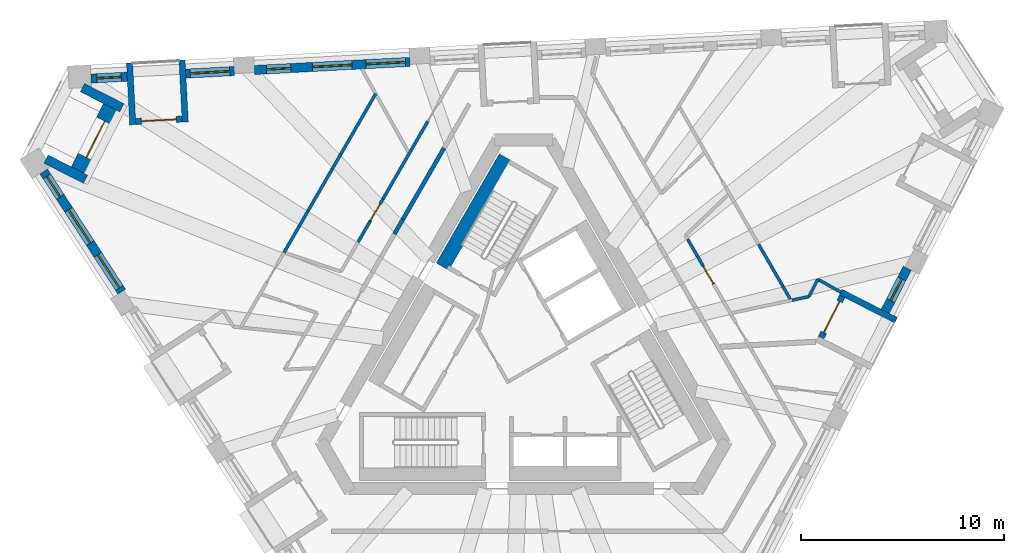
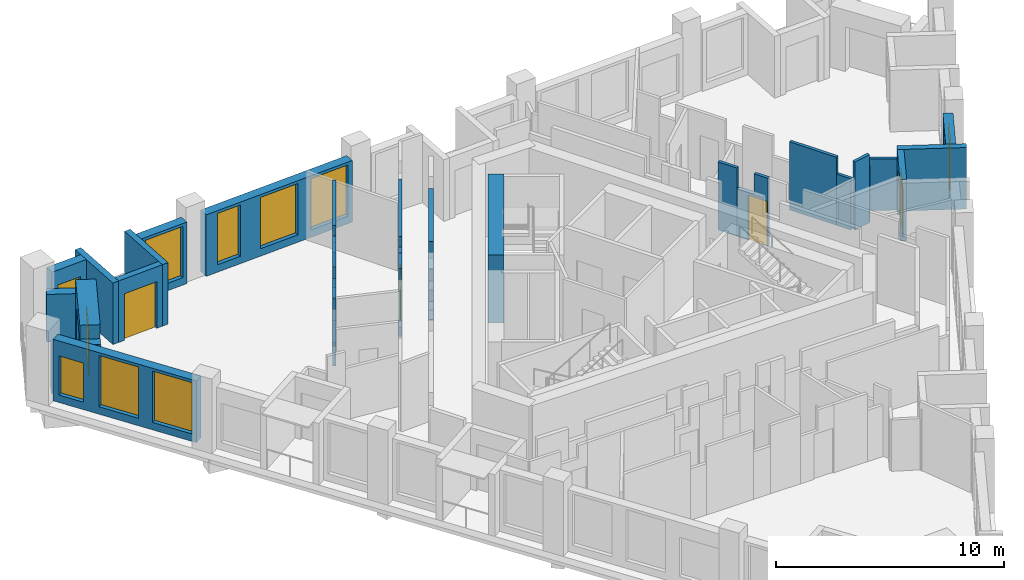
# One storey, part 6 of 12: 31 walls, 9 windows, 5 doors, 14 openings.
"""IFC4 building model written with IfcOpenShell, lengths in metres."""

from ifc_helpers import new_model, si_unit, direction, frame, frame_2d, origin, place, context, subcontext, project, spatial, polyline, rectangle, outline, extrude, material, layer, layer_set, type_object, element, fill, save


model = new_model("IFC4")

# Units and contexts
model_context = context("Model", 3, precision=1e-05, world=origin(), true_north=direction((0.0, 1.0)))
body_context = subcontext(model_context, "Body", "Model", "MODEL_VIEW")
ifc_project = project(units=[si_unit("LENGTHUNIT", "METRE"), si_unit("AREAUNIT", "SQUARE_METRE"), si_unit("VOLUMEUNIT", "CUBIC_METRE"), si_unit("PLANEANGLEUNIT", "RADIAN"), si_unit("MASSUNIT", "GRAM", prefix="KILO")], contexts=[model_context])

# Site, building, storey
site_placement = place(None, origin())
site = spatial("IfcSite", under=ifc_project, at=site_placement, CompositionType="ELEMENT")
building_placement = place(site_placement, origin())
building = spatial("IfcBuilding", under=site, at=building_placement, Name="Tramontana Tower", CompositionType="ELEMENT")
storey_placement = place(building_placement, frame((0.0, 0.0, 298.39990234375)))
storey = spatial("IfcBuildingStorey", under=building, at=storey_placement, Name="L70", CompositionType="ELEMENT", Elevation=298.39990234375)

# Walls
ifc_material_1 = material(Name="Blockwork", Category="masonry")
ifc_layer_1 = layer(ifc_material_1, 0.199951171875)
ifc_layer_set_1 = layer_set([ifc_layer_1], Name="ENTRY WALL 200")
wall_type_1 = type_object("IfcWallType", Name="ENTRY WALL 200", PredefinedType="SOLIDWALL", material=ifc_layer_set_1)
wall_1_placement = place(storey_placement, frame((-6.36328125, 6.07861328125, 0.0), z_axis=(0.0, 0.0, 1.0), x_axis=(0.499950631041, 0.86605390509, 0.0)))
element("IfcWall", 1, at=wall_1_placement, inside=storey, type_object=wall_type_1, Name="Wall v72-ew3-8", PredefinedType="SOLIDWALL", context=body_context, shape_type="SweptSolid", body=[
    extrude(rectangle(XDim=0.83349609375, YDim=0.199951171875, at=frame_2d((0.416748046875, 0.0))), origin(), (0.0, 0.0, 1.0), 2.75),
])
wall_2_placement = place(storey_placement, frame((-5.946533203125, 6.800537109375, 0.0), z_axis=(0.0, 0.0, 1.0), x_axis=(0.500007556608, 0.866021040931, 0.0)))
element("IfcWall", 2, at=wall_2_placement, inside=storey, type_object=wall_type_1, Name="Wall v72-ew3-9", PredefinedType="SOLIDWALL", context=body_context, shape_type="SweptSolid", body=[
    extrude(rectangle(XDim=4.05224609375, YDim=0.199951171875, at=frame_2d((2.026123046875, 0.0))), origin(), (0.0, 0.0, 1.0), 3.650146484375),
])

# Wall, openings, windows
ifc_material_2 = material(Name="Precast concrete 60 MPa", Category="concrete")
ifc_layer_2 = layer(ifc_material_2, 0.449951171875)
ifc_layer_set_2 = layer_set([ifc_layer_2], Name="Precast concrete 60 MPa, 450 mm")
wall_type_2 = type_object("IfcWallType", Name="EW1 Stone-faced precast wall 450", PredefinedType="SOLIDWALL", material=ifc_layer_set_2)
wall_3_placement = place(storey_placement, frame((-23.6259765625, 9.160888671875, 0.0), z_axis=(0.0, 0.0, 1.0), x_axis=(0.54463703186, -0.838671868806, 0.0)))
wall_3 = element("IfcWall", 3, at=wall_3_placement, inside=storey, type_object=wall_type_2, Name="External wall L70 face 0 bay 1", PredefinedType="SOLIDWALL", context=body_context, shape_type="SweptSolid", body=[
    extrude(rectangle(XDim=7.06005859375, YDim=0.449951171875, at=frame_2d((3.530029296875, 0.0))), origin(), (0.0, 0.0, 1.0), 3.300048828125),
])
opening_1_placement = place(wall_3_placement, frame((0.29345703125, 0.0, 0.39990234375)))
opening_1 = element("IfcOpeningElement", 4, at=opening_1_placement, cuts=wall_3, Name="Opening N3L", PredefinedType="OPENING", context=body_context, shape_type="SweptSolid", body=[
    extrude(rectangle(XDim=1.199951171875, YDim=2.10009765625, at=frame_2d((0.60009765625, 1.050048828125))), frame((0.0, 0.23486328125, 0.0), z_axis=(0.0, -1.0, 0.0), x_axis=(1.0, 0.0, 0.0)), (0.0, 0.0, 1.0), 0.469970703125),
])
opening_2_placement = place(wall_3_placement, frame((2.255126953125, 0.0, 0.39990234375)))
opening_2 = element("IfcOpeningElement", 5, at=opening_2_placement, cuts=wall_3, Name="Opening M3", PredefinedType="OPENING", context=body_context, shape_type="SweptSolid", body=[
    extrude(rectangle(XDim=1.949951171875, YDim=2.75, at=frame_2d((0.97509765625, 1.375))), frame((0.0, 0.23486328125, 0.0), z_axis=(0.0, -1.0, 0.0), x_axis=(1.0, 0.0, 0.0)), (0.0, 0.0, 1.0), 0.469970703125),
])
opening_3_placement = place(wall_3_placement, frame((4.891845703125, 0.0, 0.39990234375)))
opening_3 = element("IfcOpeningElement", 6, at=opening_3_placement, cuts=wall_3, Name="Opening M3", PredefinedType="OPENING", context=body_context, shape_type="SweptSolid", body=[
    extrude(rectangle(XDim=1.949951171875, YDim=2.75, at=frame_2d((0.97509765625, 1.375))), frame((0.0, 0.23486328125, 0.0), z_axis=(0.0, -1.0, 0.0), x_axis=(1.0, 0.0, 0.0)), (0.0, 0.0, 1.0), 0.469970703125),
])
ifc_material_3 = material(Name="Aluminum frame, double glazing unit", Category="aluminium")
window_type_1 = type_object("IfcWindowType", Name="M3 Window 1.95 x 2.75", PartitioningType="SINGLE_PANEL", PredefinedType="WINDOW", material=ifc_material_3)
window_1_placement = place(opening_2_placement, origin())
window_1 = element("IfcWindow", 7, at=window_1_placement, inside=storey, type_object=window_type_1, Name="Window M3 L70 face 0 module 2", OverallHeight=2.75, OverallWidth=1.949951171875, PartitioningType="SINGLE_PANEL", PredefinedType="WINDOW", context=body_context, shape_type="SweptSolid", body=[
    extrude(rectangle(XDim=1.949951171875, YDim=2.75, at=frame_2d((0.97509765625, 1.375))), frame((0.0, 0.030029296875, 0.0), z_axis=(0.0, -1.0, 0.0), x_axis=(1.0, 0.0, 0.0)), (0.0, 0.0, 1.0), 0.06005859375),
])
fill(opening_2, window_1)
window_2_placement = place(opening_3_placement, origin())
window_2 = element("IfcWindow", 8, at=window_2_placement, inside=storey, type_object=window_type_1, Name="Window M3 L70 face 0 module 3", OverallHeight=2.75, OverallWidth=1.949951171875, PartitioningType="SINGLE_PANEL", PredefinedType="WINDOW", context=body_context, shape_type="SweptSolid", body=[
    extrude(rectangle(XDim=1.949951171875, YDim=2.75, at=frame_2d((0.97509765625, 1.375))), frame((0.0, 0.030029296875, 0.0), z_axis=(0.0, -1.0, 0.0), x_axis=(1.0, 0.0, 0.0)), (0.0, 0.0, 1.0), 0.06005859375),
])
fill(opening_3, window_2)
ifc_material_4 = material(Name="Aluminum frame, double glazing unit", Category="aluminium")
window_type_2 = type_object("IfcWindowType", Name="N3L Window 1.2 x 2.1", PartitioningType="SINGLE_PANEL", PredefinedType="WINDOW", material=ifc_material_4)
window_3_placement = place(opening_1_placement, origin())
window_3 = element("IfcWindow", 9, at=window_3_placement, inside=storey, type_object=window_type_2, Name="Window N3L L70 face 0 module 1", OverallHeight=2.10009765625, OverallWidth=1.199951171875, PartitioningType="SINGLE_PANEL", PredefinedType="WINDOW", context=body_context, shape_type="SweptSolid", body=[
    extrude(rectangle(XDim=1.199951171875, YDim=2.10009765625, at=frame_2d((0.60009765625, 1.050048828125))), frame((0.0, 0.030029296875, 0.0), z_axis=(0.0, -1.0, 0.0), x_axis=(1.0, 0.0, 0.0)), (0.0, 0.0, 1.0), 0.06005859375),
])
fill(opening_1, window_3)

# Wall, opening, window
wall_4_placement = place(storey_placement, frame((17.796142578125, 2.27197265625, 0.0), z_axis=(0.0, 0.0, 1.0), x_axis=(0.453951830128, 0.891026226283, 0.0)))
wall_4 = element("IfcWall", 10, at=wall_4_placement, inside=storey, type_object=wall_type_2, Name="External wall L70 face 1 bay 4", PredefinedType="SOLIDWALL", context=body_context, shape_type="SweptSolid", body=[
    extrude(rectangle(XDim=2.38671875, YDim=0.449951171875, at=frame_2d((1.193359375, 0.0))), origin(), (0.0, 0.0, 1.0), 3.300048828125),
])
opening_4_placement = place(wall_4_placement, frame((0.59326171875, 0.0, 0.39990234375)))
opening_4 = element("IfcOpeningElement", 11, at=opening_4_placement, cuts=wall_4, Name="Opening N3", PredefinedType="OPENING", context=body_context, shape_type="SweptSolid", body=[
    extrude(rectangle(XDim=1.199951171875, YDim=2.75, at=frame_2d((0.60009765625, 1.375))), frame((0.0, 0.23486328125, 0.0), z_axis=(0.0, -1.0, 0.0), x_axis=(1.0, 0.0, 0.0)), (0.0, 0.0, 1.0), 0.469970703125),
])
ifc_material_5 = material(Name="Aluminum frame, double glazing unit", Category="aluminium")
window_type_3 = type_object("IfcWindowType", Name="N3 Window 1.2 x 2.75", PartitioningType="SINGLE_PANEL", PredefinedType="WINDOW", material=ifc_material_5)
window_4_placement = place(opening_4_placement, origin())
window_4 = element("IfcWindow", 12, at=window_4_placement, inside=storey, type_object=window_type_3, Name="Window N3 L70 face 1 module 12", OverallHeight=2.75, OverallWidth=1.199951171875, PartitioningType="SINGLE_PANEL", PredefinedType="WINDOW", context=body_context, shape_type="SweptSolid", body=[
    extrude(rectangle(XDim=1.199951171875, YDim=2.75, at=frame_2d((0.60009765625, 1.375))), frame((0.0, 0.030029296875, 0.0), z_axis=(0.0, -1.0, 0.0), x_axis=(1.0, 0.0, 0.0)), (0.0, 0.0, 1.0), 0.06005859375),
])
fill(opening_4, window_4)

# Wall, openings, windows
wall_5_placement = place(storey_placement, frame((-5.599365234375, 14.552001953125, 0.0), z_axis=(0.0, 0.0, 1.0), x_axis=(-0.998628023429, -0.052364786088, 0.0)))
wall_5 = element("IfcWall", 13, at=wall_5_placement, inside=storey, type_object=wall_type_2, Name="External wall L70 face 2 bay 4", PredefinedType="SOLIDWALL", context=body_context, shape_type="SweptSolid", body=[
    extrude(rectangle(XDim=7.66015625, YDim=0.449951171875, at=frame_2d((3.830078125, 0.0))), origin(), (0.0, 0.0, 1.0), 3.300048828125),
])
opening_5_placement = place(wall_5_placement, frame((0.21826171875, 0.0, 0.39990234375)))
opening_5 = element("IfcOpeningElement", 14, at=opening_5_placement, cuts=wall_5, Name="Opening M3", PredefinedType="OPENING", context=body_context, shape_type="SweptSolid", body=[
    extrude(rectangle(XDim=1.949951171875, YDim=2.75, at=frame_2d((0.97509765625, 1.375))), frame((0.0, 0.23486328125, 0.0), z_axis=(0.0, -1.0, 0.0), x_axis=(1.0, 0.0, 0.0)), (0.0, 0.0, 1.0), 0.469970703125),
])
opening_6_placement = place(wall_5_placement, frame((2.855224609375, 0.0, 0.39990234375)))
opening_6 = element("IfcOpeningElement", 15, at=opening_6_placement, cuts=wall_5, Name="Opening M3", PredefinedType="OPENING", context=body_context, shape_type="SweptSolid", body=[
    extrude(rectangle(XDim=1.949951171875, YDim=2.75, at=frame_2d((0.97509765625, 1.375))), frame((0.0, 0.23486328125, 0.0), z_axis=(0.0, -1.0, 0.0), x_axis=(1.0, 0.0, 0.0)), (0.0, 0.0, 1.0), 0.469970703125),
])
opening_7_placement = place(wall_5_placement, frame((5.866943359375, 0.0, 0.39990234375)))
opening_7 = element("IfcOpeningElement", 16, at=opening_7_placement, cuts=wall_5, Name="Opening N3", PredefinedType="OPENING", context=body_context, shape_type="SweptSolid", body=[
    extrude(rectangle(XDim=1.199951171875, YDim=2.75, at=frame_2d((0.60009765625, 1.375))), frame((0.0, 0.23486328125, 0.0), z_axis=(0.0, -1.0, 0.0), x_axis=(1.0, 0.0, 0.0)), (0.0, 0.0, 1.0), 0.469970703125),
])
window_5_placement = place(opening_5_placement, origin())
window_5 = element("IfcWindow", 17, at=window_5_placement, inside=storey, type_object=window_type_1, Name="Window M3 L70 face 2 module 10", OverallHeight=2.75, OverallWidth=1.949951171875, PartitioningType="SINGLE_PANEL", PredefinedType="WINDOW", context=body_context, shape_type="SweptSolid", body=[
    extrude(rectangle(XDim=1.949951171875, YDim=2.75, at=frame_2d((0.97509765625, 1.375))), frame((0.0, 0.030029296875, 0.0), z_axis=(0.0, -1.0, 0.0), x_axis=(1.0, 0.0, 0.0)), (0.0, 0.0, 1.0), 0.06005859375),
])
fill(opening_5, window_5)
window_6_placement = place(opening_6_placement, origin())
window_6 = element("IfcWindow", 18, at=window_6_placement, inside=storey, type_object=window_type_1, Name="Window M3 L70 face 2 module 11", OverallHeight=2.75, OverallWidth=1.949951171875, PartitioningType="SINGLE_PANEL", PredefinedType="WINDOW", context=body_context, shape_type="SweptSolid", body=[
    extrude(rectangle(XDim=1.949951171875, YDim=2.75, at=frame_2d((0.97509765625, 1.375))), frame((0.0, 0.030029296875, 0.0), z_axis=(0.0, -1.0, 0.0), x_axis=(1.0, 0.0, 0.0)), (0.0, 0.0, 1.0), 0.06005859375),
])
fill(opening_6, window_6)
window_7_placement = place(opening_7_placement, origin())
window_7 = element("IfcWindow", 19, at=window_7_placement, inside=storey, type_object=window_type_3, Name="Window N3 L70 face 2 module 12", OverallHeight=2.75, OverallWidth=1.199951171875, PartitioningType="SINGLE_PANEL", PredefinedType="WINDOW", context=body_context, shape_type="SweptSolid", body=[
    extrude(rectangle(XDim=1.199951171875, YDim=2.75, at=frame_2d((0.60009765625, 1.375))), frame((0.0, 0.030029296875, 0.0), z_axis=(0.0, -1.0, 0.0), x_axis=(1.0, 0.0, 0.0)), (0.0, 0.0, 1.0), 0.06005859375),
])
fill(opening_7, window_7)

# Wall, opening, window
wall_6_placement = place(storey_placement, frame((-14.247802734375, 14.0986328125, 0.0), z_axis=(0.0, 0.0, 1.0), x_axis=(-0.998627701279, -0.052370929331, 0.0)))
wall_6 = element("IfcWall", 20, at=wall_6_placement, inside=storey, type_object=wall_type_2, Name="External wall L70 face 2 bay 5", PredefinedType="SOLIDWALL", context=body_context, shape_type="SweptSolid", body=[
    extrude(rectangle(XDim=2.38671875, YDim=0.449951171875, at=frame_2d((1.193359375, 0.0))), origin(), (0.0, 0.0, 1.0), 3.300048828125),
])
opening_8_placement = place(wall_6_placement, frame((0.21826171875, 0.0, 0.39990234375)))
opening_8 = element("IfcOpeningElement", 21, at=opening_8_placement, cuts=wall_6, Name="Opening M3", PredefinedType="OPENING", context=body_context, shape_type="SweptSolid", body=[
    extrude(rectangle(XDim=1.949951171875, YDim=2.75, at=frame_2d((0.97509765625, 1.375))), frame((0.0, 0.23486328125, 0.0), z_axis=(0.0, -1.0, 0.0), x_axis=(1.0, 0.0, 0.0)), (0.0, 0.0, 1.0), 0.469970703125),
])
window_8_placement = place(opening_8_placement, origin())
window_8 = element("IfcWindow", 22, at=window_8_placement, inside=storey, type_object=window_type_1, Name="Window M3 L70 face 2 module 13", OverallHeight=2.75, OverallWidth=1.949951171875, PartitioningType="SINGLE_PANEL", PredefinedType="WINDOW", context=body_context, shape_type="SweptSolid", body=[
    extrude(rectangle(XDim=1.949951171875, YDim=2.75, at=frame_2d((0.97509765625, 1.375))), frame((0.0, 0.030029296875, 0.0), z_axis=(0.0, -1.0, 0.0), x_axis=(1.0, 0.0, 0.0)), (0.0, 0.0, 1.0), 0.06005859375),
])
fill(opening_8, window_8)

wall_7_placement = place(storey_placement, frame((-19.51416015625, 13.82275390625, 0.0), z_axis=(0.0, 0.0, 1.0), x_axis=(-0.998629506551, -0.052336494391, 0.0)))
wall_7 = element("IfcWall", 23, at=wall_7_placement, inside=storey, type_object=wall_type_2, Name="External wall L70 face 2 bay 5", PredefinedType="SOLIDWALL", context=body_context, shape_type="SweptSolid", body=[
    extrude(rectangle(XDim=1.78662109375, YDim=0.449951171875, at=frame_2d((0.893310546875, 0.0))), origin(), (0.0, 0.0, 1.0), 3.300048828125),
])
opening_9_placement = place(wall_7_placement, frame((0.29345703125, 0.0, 0.39990234375)))
opening_9 = element("IfcOpeningElement", 24, at=opening_9_placement, cuts=wall_7, Name="Opening N3L", PredefinedType="OPENING", context=body_context, shape_type="SweptSolid", body=[
    extrude(rectangle(XDim=1.199951171875, YDim=2.10009765625, at=frame_2d((0.60009765625, 1.050048828125))), frame((0.0, 0.23486328125, 0.0), z_axis=(0.0, -1.0, 0.0), x_axis=(1.0, 0.0, 0.0)), (0.0, 0.0, 1.0), 0.469970703125),
])
window_9_placement = place(opening_9_placement, origin())
window_9 = element("IfcWindow", 25, at=window_9_placement, inside=storey, type_object=window_type_2, Name="Window N3L L70 face 2 module 15", OverallHeight=2.10009765625, OverallWidth=1.199951171875, PartitioningType="SINGLE_PANEL", PredefinedType="WINDOW", context=body_context, shape_type="SweptSolid", body=[
    extrude(rectangle(XDim=1.199951171875, YDim=2.10009765625, at=frame_2d((0.60009765625, 1.050048828125))), frame((0.0, 0.030029296875, 0.0), z_axis=(0.0, -1.0, 0.0), x_axis=(1.0, 0.0, 0.0)), (0.0, 0.0, 1.0), 0.06005859375),
])
fill(opening_9, window_9)

# Walls
wall_8_placement = place(storey_placement, frame((-23.509765625, 9.76220703125, 0.0), z_axis=(0.0, 0.0, 1.0), x_axis=(0.891041206664, -0.45392242512, 0.0)))
element("IfcWall", 26, at=wall_8_placement, inside=storey, type_object=wall_type_2, Name="Corner loggia side wall L70 K70l", PredefinedType="SOLIDWALL", context=body_context, shape_type="SweptSolid", body=[
    extrude(rectangle(XDim=2.179443359375, YDim=0.449951171875, at=frame_2d((1.08984375, 0.0))), origin(), (0.0, 0.0, 1.0), 2.550048828125),
])
wall_9_placement = place(storey_placement, frame((-21.71630859375, 13.28173828125, 0.0), z_axis=(0.0, 0.0, 1.0), x_axis=(0.890972801346, -0.454056678468, 0.0)))
element("IfcWall", 27, at=wall_9_placement, inside=storey, type_object=wall_type_2, Name="Corner loggia side wall L70 K70r", PredefinedType="SOLIDWALL", context=body_context, shape_type="SweptSolid", body=[
    extrude(rectangle(XDim=2.17919921875, YDim=0.449951171875, at=frame_2d((1.089599609375, 0.0))), origin(), (0.0, 0.0, 1.0), 2.550048828125),
])

# Wall, opening, door
ifc_material_6 = material(Name="Precast concrete 60 MPa", Category="concrete")
ifc_layer_3 = layer(ifc_material_6, 0.89990234375)
ifc_layer_set_3 = layer_set([ifc_layer_3], Name="EW2 Stone-faced corner loggia wall 900")
wall_type_3 = type_object("IfcWallType", Name="EW2 Stone-faced corner loggia wall 900", PredefinedType="SOLIDWALL", material=ifc_layer_set_3)
wall_10_placement = place(storey_placement, frame((-21.86669921875, 9.177734375, 0.0), z_axis=(0.0, 0.0, 1.0), x_axis=(0.453981164527, 0.891011280655, 0.0)))
wall_10 = element("IfcWall", 28, at=wall_10_placement, inside=storey, type_object=wall_type_3, Name="Corner loggia wall L70 K70", PredefinedType="SOLIDWALL", context=body_context, shape_type="SweptSolid", body=[
    extrude(rectangle(XDim=3.499755859375, YDim=0.89990234375, at=frame_2d((1.75, 0.0))), origin(), (0.0, 0.0, 1.0), 3.300048828125),
])
opening_10_placement = place(wall_10_placement, frame((0.75, 0.0, 0.0)))
opening_10 = element("IfcOpeningElement", 29, at=opening_10_placement, cuts=wall_10, Name="Opening BD-70C", PredefinedType="OPENING", context=body_context, shape_type="SweptSolid", body=[
    extrude(rectangle(XDim=2.0, YDim=2.39990234375, at=frame_2d((1.0, 1.199951171875))), frame((0.0, 0.4599609375, 0.0), z_axis=(0.0, -1.0, 0.0), x_axis=(1.0, 0.0, 0.0)), (0.0, 0.0, 1.0), 0.919921875),
])
ifc_material_7 = material(Name="Aluminum frame, double glazing unit", Category="aluminium")
door_type_1 = type_object("IfcDoorType", Name="BC1 Sliding door 2 x 2.4", OperationType="SLIDING_TO_LEFT", PredefinedType="DOOR", material=ifc_material_7)
door_1_placement = place(opening_10_placement, origin())
door_1 = element("IfcDoor", 30, at=door_1_placement, inside=storey, type_object=door_type_1, Name="Corner loggia door L70 K70", OperationType="SLIDING_TO_LEFT", OverallHeight=2.39990234375, OverallWidth=2.0, PredefinedType="DOOR", context=body_context, shape_type="SweptSolid", body=[
    extrude(rectangle(XDim=2.0, YDim=2.39990234375, at=frame_2d((1.0, 1.199951171875))), frame((0.0, 0.02490234375, 0.0), z_axis=(0.0, -1.0, 0.0), x_axis=(1.0, 0.0, 0.0)), (0.0, 0.0, 1.0), 0.050048828125),
])
fill(opening_10, door_1)

ifc_material_8 = material(Name="Precast concrete 60 MPa", Category="concrete")
ifc_layer_4 = layer(ifc_material_8, 0.300048828125)
ifc_layer_set_4 = layer_set([ifc_layer_4], Name="LW1 Stone-faced loggia wall 300")
wall_type_4 = type_object("IfcWallType", Name="LW1 Stone-faced loggia wall 300", PredefinedType="SOLIDWALL", material=ifc_layer_set_4)
wall_11_placement = place(storey_placement, frame((14.63916015625, 0.977294921875, 0.0), z_axis=(0.0, 0.0, 1.0), x_axis=(0.45403292632, 0.890984905494, 0.0)))
wall_11 = element("IfcWall", 31, at=wall_11_placement, inside=storey, type_object=wall_type_4, Name="Loggia wall L70 G7S1.10", PredefinedType="SOLIDWALL", context=body_context, shape_type="SweptSolid", body=[
    extrude(rectangle(XDim=2.286865234375, YDim=0.300048828125, at=frame_2d((1.1435546875, 0.0))), origin(), (0.0, 0.0, 1.0), 3.300048828125),
])
opening_11_placement = place(wall_11_placement, frame((0.29345703125, 0.0, 0.0)))
opening_11 = element("IfcOpeningElement", 32, at=opening_11_placement, cuts=wall_11, Name="Opening BD-7S1-10", PredefinedType="OPENING", context=body_context, shape_type="SweptSolid", body=[
    extrude(rectangle(XDim=1.699951171875, YDim=2.5, at=frame_2d((0.85009765625, 1.25))), frame((0.0, 0.159912109375, 0.0), z_axis=(0.0, -1.0, 0.0), x_axis=(1.0, 0.0, 0.0)), (0.0, 0.0, 1.0), 0.320068359375),
])
ifc_material_9 = material(Name="Aluminum frame, double glazing unit", Category="aluminium")
door_type_2 = type_object("IfcDoorType", Name="BD3 Sliding door 1.7 x 2.5", OperationType="SLIDING_TO_LEFT", PredefinedType="DOOR", material=ifc_material_9)
door_2_placement = place(opening_11_placement, origin())
door_2 = element("IfcDoor", 33, at=door_2_placement, inside=storey, type_object=door_type_2, Name="Loggia door L70 G7S1.10", OperationType="SLIDING_TO_LEFT", OverallHeight=2.5, OverallWidth=1.699951171875, PredefinedType="DOOR", context=body_context, shape_type="SweptSolid", body=[
    extrude(rectangle(XDim=1.699951171875, YDim=2.5, at=frame_2d((0.85009765625, 1.25))), frame((0.0, 0.02490234375, 0.0), z_axis=(0.0, -1.0, 0.0), x_axis=(1.0, 0.0, 0.0)), (0.0, 0.0, 1.0), 0.050048828125),
])
fill(opening_11, door_2)

# Wall
wall_12_placement = place(storey_placement, frame((18.329345703125, 1.831787109375, 0.0), z_axis=(0.0, 0.0, 1.0), x_axis=(-0.890991233495, 0.454020508165, 0.0)))
element("IfcWall", 34, at=wall_12_placement, inside=storey, type_object=wall_type_4, Name="Loggia return L70 G7S1.10b", PredefinedType="SOLIDWALL", context=body_context, shape_type="SweptSolid", body=[
    extrude(rectangle(XDim=3.050048828125, YDim=0.300048828125, at=frame_2d((1.52490234375, 0.0))), origin(), (0.0, 0.0, 1.0), 3.300048828125),
])

# Wall, opening, door
wall_13_placement = place(storey_placement, frame((-16.814453125, 11.736083984375, 0.0), z_axis=(0.0, 0.0, 1.0), x_axis=(-0.998630483018, -0.052317859155, 0.0)))
wall_13 = element("IfcWall", 35, at=wall_13_placement, inside=storey, type_object=wall_type_4, Name="Loggia wall L70 G7S2.13", PredefinedType="SOLIDWALL", context=body_context, shape_type="SweptSolid", body=[
    extrude(rectangle(XDim=2.28662109375, YDim=0.300048828125, at=frame_2d((1.143310546875, 0.0))), origin(), (0.0, 0.0, 1.0), 3.300048828125),
])
opening_12_placement = place(wall_13_placement, frame((0.29345703125, 0.0, 0.0)))
opening_12 = element("IfcOpeningElement", 36, at=opening_12_placement, cuts=wall_13, Name="Opening BD-7S2-13", PredefinedType="OPENING", context=body_context, shape_type="SweptSolid", body=[
    extrude(rectangle(XDim=1.699951171875, YDim=2.5, at=frame_2d((0.85009765625, 1.25))), frame((0.0, 0.159912109375, 0.0), z_axis=(0.0, -1.0, 0.0), x_axis=(1.0, 0.0, 0.0)), (0.0, 0.0, 1.0), 0.320068359375),
])
door_3_placement = place(opening_12_placement, origin())
door_3 = element("IfcDoor", 37, at=door_3_placement, inside=storey, type_object=door_type_2, Name="Loggia door L70 G7S2.13", OperationType="SLIDING_TO_LEFT", OverallHeight=2.5, OverallWidth=1.699951171875, PredefinedType="DOOR", context=body_context, shape_type="SweptSolid", body=[
    extrude(rectangle(XDim=1.699951171875, YDim=2.5, at=frame_2d((0.85009765625, 1.25))), frame((0.0, 0.02490234375, 0.0), z_axis=(0.0, -1.0, 0.0), x_axis=(1.0, 0.0, 0.0)), (0.0, 0.0, 1.0), 0.050048828125),
])
fill(opening_12, door_3)

# Walls
wall_14_placement = place(storey_placement, frame((-16.81640625, 14.639892578125, 0.0), z_axis=(0.0, 0.0, 1.0), x_axis=(0.052352956549, -0.998628643661, 0.0)))
element("IfcWall", 38, at=wall_14_placement, inside=storey, type_object=wall_type_4, Name="Loggia return L70 G7S2.13a", PredefinedType="SOLIDWALL", context=body_context, shape_type="SweptSolid", body=[
    extrude(rectangle(XDim=3.0498046875, YDim=0.300048828125, at=frame_2d((1.52490234375, 0.0))), origin(), (0.0, 0.0, 1.0), 3.300048828125),
])
wall_15_placement = place(storey_placement, frame((-19.399658203125, 14.504638671875, 0.0), z_axis=(0.0, 0.0, 1.0), x_axis=(0.052348771756, -0.99862886304, 0.0)))
element("IfcWall", 39, at=wall_15_placement, inside=storey, type_object=wall_type_4, Name="Loggia return L70 G7S2.13b", PredefinedType="SOLIDWALL", context=body_context, shape_type="SweptSolid", body=[
    extrude(rectangle(XDim=3.050048828125, YDim=0.300048828125, at=frame_2d((1.52490234375, 0.0))), origin(), (0.0, 0.0, 1.0), 3.300048828125),
])
ifc_material_10 = material(Name="Gypsum board partition")
ifc_layer_5 = layer(ifc_material_10, 0.14990234375)
ifc_layer_set_5 = layer_set([ifc_layer_5], Name="PARTITION 150")
wall_type_5 = type_object("IfcWallType", Name="PARTITION 150", PredefinedType="PARTITIONING", material=ifc_layer_set_5)
wall_16_placement = place(storey_placement, frame((-11.7998046875, 5.162109375, 0.0), z_axis=(0.0, 0.0, 1.0), x_axis=(0.500035089595, 0.866005143849, 0.0)))
element("IfcWall", 40, at=wall_16_placement, inside=storey, type_object=wall_type_5, Name="Wall v72-pw03-3", PredefinedType="PARTITIONING", context=body_context, shape_type="SweptSolid", body=[
    extrude(rectangle(XDim=1.509765625, YDim=0.14990234375, at=frame_2d((0.7548828125, 0.0))), origin(), (0.0, 0.0, 1.0), 3.650146484375),
])
wall_17_placement = place(storey_placement, frame((-11.044921875, 6.469482421875, 0.0), z_axis=(0.0, 0.0, 1.0), x_axis=(0.499947731247, 0.86605557906, 0.0)))
element("IfcWall", 41, at=wall_17_placement, inside=storey, type_object=wall_type_5, Name="Wall v72-pw03-4", PredefinedType="PARTITIONING", context=body_context, shape_type="SweptSolid", body=[
    extrude(rectangle(XDim=0.87548828125, YDim=0.14990234375, at=frame_2d((0.437744140625, 0.0))), origin(), (0.0, 0.0, 1.0), 2.550048828125),
])
wall_18_placement = place(storey_placement, frame((-10.607177734375, 7.227783203125, 0.0), z_axis=(0.0, 0.0, 1.0), x_axis=(0.500029994224, 0.866008085918, 0.0)))
element("IfcWall", 42, at=wall_18_placement, inside=storey, type_object=wall_type_5, Name="Wall v72-pw03-5", PredefinedType="PARTITIONING", context=body_context, shape_type="SweptSolid", body=[
    extrude(rectangle(XDim=2.382080078125, YDim=0.14990234375, at=frame_2d((1.19091796875, 0.0))), origin(), (0.0, 0.0, 1.0), 3.650146484375),
])
wall_19_placement = place(storey_placement, frame((-9.416015625, 9.290771484375, 0.0), z_axis=(0.0, 0.0, 1.0), x_axis=(0.499879522619, 0.86609495026, 0.0)))
element("IfcWall", 43, at=wall_19_placement, inside=storey, type_object=wall_type_5, Name="Wall v72-pw03-6", PredefinedType="PARTITIONING", context=body_context, shape_type="SweptSolid", body=[
    extrude(rectangle(XDim=0.807373046875, YDim=0.14990234375, at=frame_2d((0.40380859375, 0.0))), origin(), (0.0, 0.0, 1.0), 2.75),
])
wall_20_placement = place(storey_placement, frame((-9.012451171875, 9.989990234375, 0.0), z_axis=(0.0, 0.0, 1.0), x_axis=(0.49999593142, 0.866027752767, 0.0)))
element("IfcWall", 44, at=wall_20_placement, inside=storey, type_object=wall_type_5, Name="Wall v72-pw03-7", PredefinedType="PARTITIONING", context=body_context, shape_type="SweptSolid", body=[
    extrude(rectangle(XDim=3.45166015625, YDim=0.14990234375, at=frame_2d((1.725830078125, 0.0))), origin(), (0.0, 0.0, 1.0), 3.650146484375),
])
wall_21_placement = place(storey_placement, frame((-8.154296875, 5.67626953125, 0.0), z_axis=(0.0, 0.0, 1.0), x_axis=(0.499997709859, 0.866026725994, 0.0)))
element("IfcWall", 45, at=wall_21_placement, inside=storey, type_object=wall_type_5, Name="Wall v72-pw10-2", PredefinedType="PARTITIONING", context=body_context, shape_type="SweptSolid", body=[
    extrude(rectangle(XDim=1.17724609375, YDim=0.14990234375, at=frame_2d((0.588623046875, 0.0))), origin(), (0.0, 0.0, 1.0), 3.650146484375),
])

# Wall, opening, door
wall_22_placement = place(storey_placement, frame((-7.565673828125, 6.69580078125, 0.0), z_axis=(0.0, 0.0, 1.0), x_axis=(0.49996976238, 0.866042860778, 0.0)))
wall_22 = element("IfcWall", 46, at=wall_22_placement, inside=storey, type_object=wall_type_5, Name="Wall v72-pw10-3", PredefinedType="PARTITIONING", context=body_context, shape_type="SweptSolid", body=[
    extrude(outline(polyline([(0.0, 0.0), (1.28173828125, 0.0), (1.28173828125, 2.75), (0.474365234375, 2.75), (0.474365234375, 3.650146484375), (0.0, 3.650146484375), (0.0, 0.0)])), frame((0.0, 0.074951171875, 0.0), z_axis=(0.0, -1.0, 0.0), x_axis=(1.0, 0.0, 0.0)), (0.0, 0.0, 1.0), 0.14990234375),
])
opening_13_placement = place(wall_22_placement, frame((0.050048828125, 0.0, 0.0)))
opening_13 = element("IfcOpeningElement", 47, at=opening_13_placement, cuts=wall_22, Name="Opening B7C-01", PredefinedType="OPENING", context=body_context, shape_type="SweptSolid", body=[
    extrude(rectangle(XDim=0.949951171875, YDim=2.39990234375, at=frame_2d((0.47509765625, 1.199951171875))), frame((0.0, 0.0849609375, 0.0), z_axis=(0.0, -1.0, 0.0), x_axis=(1.0, 0.0, 0.0)), (0.0, 0.0, 1.0), 0.169921875),
])
ifc_material_11 = material(Name="Painted timber", Category="wood")
door_type_3 = type_object("IfcDoorType", Name="DOOR ROOM 950", OperationType="SINGLE_SWING_LEFT", PredefinedType="DOOR", material=ifc_material_11)
door_4_placement = place(opening_13_placement, origin())
door_4 = element("IfcDoor", 48, at=door_4_placement, inside=storey, type_object=door_type_3, Name="Door B7C-01", OperationType="SINGLE_SWING_LEFT", OverallHeight=2.39990234375, OverallWidth=0.949951171875, PredefinedType="DOOR", context=body_context, shape_type="SweptSolid", body=[
    extrude(rectangle(XDim=0.949951171875, YDim=2.39990234375, at=frame_2d((0.47509765625, 1.199951171875))), frame((0.0, 0.02490234375, 0.0), z_axis=(0.0, -1.0, 0.0), x_axis=(1.0, 0.0, 0.0)), (0.0, 0.0, 1.0), 0.050048828125),
])
fill(opening_13, door_4)

# Walls
wall_23_placement = place(storey_placement, frame((-6.9248046875, 7.805908203125, 0.0), z_axis=(0.0, 0.0, 1.0), x_axis=(0.500024628788, 0.86601118388, 0.0)))
element("IfcWall", 49, at=wall_23_placement, inside=storey, type_object=wall_type_5, Name="Wall v72-pw10-4", PredefinedType="PARTITIONING", context=body_context, shape_type="SweptSolid", body=[
    extrude(rectangle(XDim=4.406005859375, YDim=0.14990234375, at=frame_2d((2.203125, 0.0))), origin(), (0.0, 0.0, 1.0), 3.650146484375),
])
wall_24_placement = place(storey_placement, frame((11.563232421875, 5.572021484375, 0.0), z_axis=(0.0, 0.0, 1.0), x_axis=(0.499997507361, -0.866026842905, 0.0)))
element("IfcWall", 50, at=wall_24_placement, inside=storey, type_object=wall_type_5, Name="Wall v72-pw26-6", PredefinedType="PARTITIONING", context=body_context, shape_type="SweptSolid", body=[
    extrude(rectangle(XDim=2.3818359375, YDim=0.14990234375, at=frame_2d((1.19091796875, 0.0))), origin(), (0.0, 0.0, 1.0), 3.650146484375),
])
wall_25_placement = place(storey_placement, frame((12.754150390625, 3.50927734375, 0.0), z_axis=(0.0, 0.0, 1.0), x_axis=(0.499858068882, -0.866107332248, 0.0)))
element("IfcWall", 51, at=wall_25_placement, inside=storey, type_object=wall_type_5, Name="Wall v72-pw26-7", PredefinedType="PARTITIONING", context=body_context, shape_type="SweptSolid", body=[
    extrude(rectangle(XDim=0.727294921875, YDim=0.14990234375, at=frame_2d((0.36376953125, 0.0))), origin(), (0.0, 0.0, 1.0), 2.75),
])
wall_26_placement = place(storey_placement, frame((8.071044921875, 5.820556640625, 0.0), z_axis=(0.0, 0.0, 1.0), x_axis=(0.500071713487, -0.865983996024, 0.0)))
element("IfcWall", 52, at=wall_26_placement, inside=storey, type_object=wall_type_5, Name="Wall v72-pw27-1", PredefinedType="PARTITIONING", context=body_context, shape_type="SweptSolid", body=[
    extrude(rectangle(XDim=0.968017578125, YDim=0.14990234375, at=frame_2d((0.48388671875, 0.0))), origin(), (0.0, 0.0, 1.0), 3.650146484375),
])

# Wall, opening, door
wall_27_placement = place(storey_placement, frame((8.55517578125, 4.982177734375, 0.0), z_axis=(0.0, 0.0, 1.0), x_axis=(0.499936960004, -0.866061796884, 0.0)))
wall_27 = element("IfcWall", 53, at=wall_27_placement, inside=storey, type_object=wall_type_5, Name="Wall v72-pw27-2", PredefinedType="PARTITIONING", context=body_context, shape_type="SweptSolid", body=[
    extrude(outline(polyline([(0.0, 0.0), (1.576416015625, 0.0), (1.576416015625, 3.650146484375), (0.875732421875, 3.650146484375), (0.875732421875, 2.550048828125), (0.0, 2.550048828125), (0.0, 0.0)])), frame((0.0, 0.074951171875, 0.0), z_axis=(0.0, -1.0, 0.0), x_axis=(1.0, 0.0, 0.0)), (0.0, 0.0, 1.0), 0.14990234375),
])
opening_14_placement = place(wall_27_placement, frame((0.576416015625, 0.0, 0.0)))
opening_14 = element("IfcOpeningElement", 54, at=opening_14_placement, cuts=wall_27, Name="Opening B7C-12", PredefinedType="OPENING", context=body_context, shape_type="SweptSolid", body=[
    extrude(rectangle(XDim=0.949951171875, YDim=2.39990234375, at=frame_2d((0.47509765625, 1.199951171875))), frame((0.0, 0.0849609375, 0.0), z_axis=(0.0, -1.0, 0.0), x_axis=(1.0, 0.0, 0.0)), (0.0, 0.0, 1.0), 0.169921875),
])
door_5_placement = place(opening_14_placement, origin())
door_5 = element("IfcDoor", 55, at=door_5_placement, inside=storey, type_object=door_type_3, Name="Door B7C-12", OperationType="SINGLE_SWING_RIGHT", OverallHeight=2.39990234375, OverallWidth=0.949951171875, PredefinedType="DOOR", context=body_context, shape_type="SweptSolid", body=[
    extrude(rectangle(XDim=0.949951171875, YDim=2.39990234375, at=frame_2d((0.47509765625, 1.199951171875))), frame((0.0, 0.02490234375, 0.0), z_axis=(0.0, -1.0, 0.0), x_axis=(1.0, 0.0, 0.0)), (0.0, 0.0, 1.0), 0.050048828125),
])
fill(opening_14, door_5)

# Walls
wall_28_placement = place(storey_placement, frame((14.04248046875, 3.000244140625, 0.0), z_axis=(0.0, 0.0, 1.0), x_axis=(-0.977943969584, -0.20886740376, 0.0)))
element("IfcWall", 56, at=wall_28_placement, inside=storey, type_object=wall_type_5, Name="Wall v72-pw32-0", PredefinedType="PARTITIONING", context=body_context, shape_type="SweptSolid", body=[
    extrude(rectangle(XDim=0.856689453125, YDim=0.14990234375, at=frame_2d((0.42822265625, 0.0))), origin(), (0.0, 0.0, 1.0), 3.650146484375),
])
wall_29_placement = place(storey_placement, frame((14.475341796875, 3.849853515625, 0.0), z_axis=(0.0, 0.0, 1.0), x_axis=(-0.454063887125, -0.890969127641, 0.0)))
element("IfcWall", 57, at=wall_29_placement, inside=storey, type_object=wall_type_5, Name="Wall v72-pw33-0", PredefinedType="PARTITIONING", context=body_context, shape_type="SweptSolid", body=[
    extrude(rectangle(XDim=0.953369140625, YDim=0.14990234375, at=frame_2d((0.4765625, 0.0))), origin(), (0.0, 0.0, 1.0), 2.75),
])
wall_30_placement = place(storey_placement, frame((15.61181640625, 3.216552734375, 0.0), z_axis=(0.0, 0.0, 1.0), x_axis=(-0.872797500837, 0.488082495623, 0.0)))
element("IfcWall", 58, at=wall_30_placement, inside=storey, type_object=wall_type_5, Name="Wall v72-pw35-0", PredefinedType="PARTITIONING", context=body_context, shape_type="SweptSolid", body=[
    extrude(rectangle(XDim=1.299072265625, YDim=0.14990234375, at=frame_2d((0.6494140625, 0.0))), origin(), (0.0, 0.0, 1.0), 2.75),
])
ifc_material_12 = material(Name="Concrete 70 MPa", Category="concrete")
ifc_layer_6 = layer(ifc_material_12, 0.699951171875)
ifc_layer_set_6 = layer_set([ifc_layer_6], Name="Concrete 70 MPa, 700 mm")
wall_type_6 = type_object("IfcWallType", Name="RC SHAFT BACK WALL 700", PredefinedType="SOLIDWALL", material=ifc_layer_set_6)
wall_31_placement = place(storey_placement, frame((-0.896240234375, 9.847412109375, 0.0), z_axis=(0.0, 0.0, 1.0), x_axis=(-0.500009909098, -0.866019682689, 0.0)))
element("IfcWall", 59, at=wall_31_placement, inside=storey, type_object=wall_type_6, Name="Wall st1-back", PredefinedType="SOLIDWALL", context=body_context, shape_type="SweptSolid", body=[
    extrude(rectangle(XDim=6.199951171875, YDim=0.699951171875, at=frame_2d((3.10009765625, 0.0))), origin(), (0.0, 0.0, 1.0), 3.650146484375),
])

save(model, "model.ifc")
